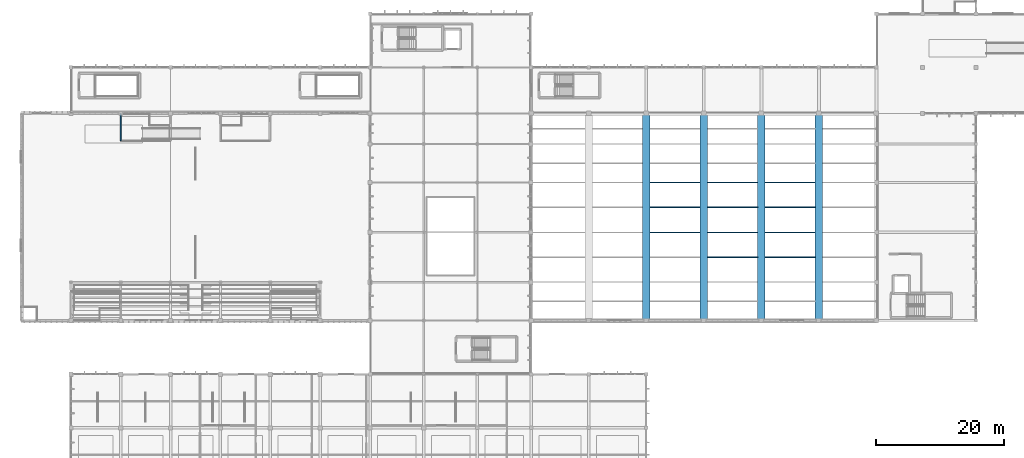
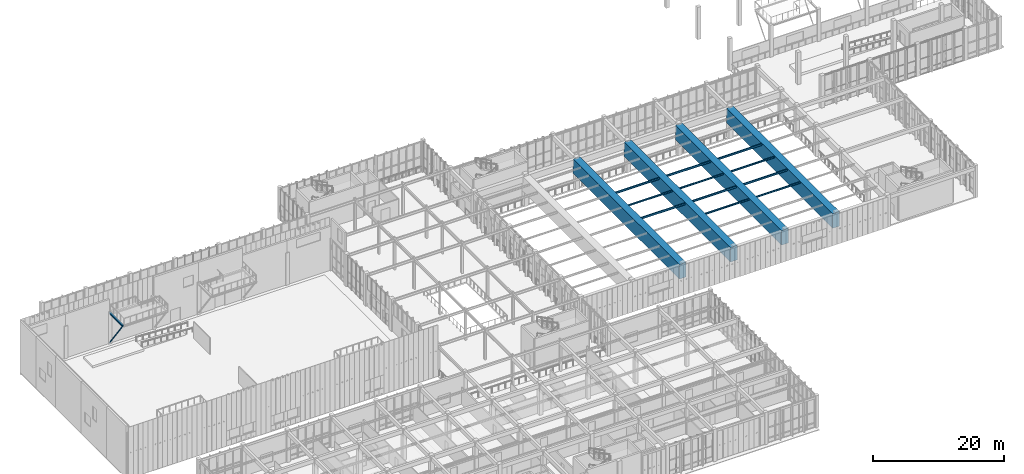
# One storey, part 29 of 105: 16 beams, 1 member.
"""IFC4 building model written with IfcOpenShell, lengths in metres."""

from ifc_helpers import new_model, si_unit, direction, frame, origin, origin_2d, place, context, subcontext, project, spatial, rectangle, hollow_rectangle, i_section, extrude, material, material_profile, profile_set, type_object, element, save


model = new_model("IFC4")

# Units and contexts
model_context = context("Model", 3, precision=1e-05, world=origin(), true_north=direction((0.0, 1.0)))
body_context = subcontext(model_context, "Body", "Model", "MODEL_VIEW")
ifc_project = project(units=[si_unit("LENGTHUNIT", "METRE"), si_unit("AREAUNIT", "SQUARE_METRE"), si_unit("VOLUMEUNIT", "CUBIC_METRE"), si_unit("PLANEANGLEUNIT", "RADIAN"), si_unit("MASSUNIT", "GRAM", prefix="KILO")], contexts=[model_context])

# Site, building, storey
site_placement = place(None, origin())
site = spatial("IfcSite", under=ifc_project, at=site_placement, CompositionType="ELEMENT")
building_placement = place(site_placement, origin())
building = spatial("IfcBuilding", under=site, at=building_placement, Name="Tizgana Railside Sports Hall", CompositionType="ELEMENT")
storey_placement = place(building_placement, frame((0.0, 0.0, 6.0)))
storey = spatial("IfcBuildingStorey", under=building, at=storey_placement, Name="L01", CompositionType="ELEMENT", Elevation=6.0)

# Beams
ifc_material_1 = material(Name="Concrete C40/50", Category="concrete")
ifc_material_profile_1 = material_profile(ifc_material_1, rectangle(XDim=1.199951171875, YDim=2.699951171875, at=origin_2d()), Name="PTG 1200x2700")
ifc_profile_set_1 = profile_set([ifc_material_profile_1], Name="Concrete C40/50")
beam_type_1 = type_object("IfcBeamType", Name="Post-Tensioned Girder PTG 1200x2700", PredefinedType="BEAM", material=ifc_profile_set_1)
for number, where, z_axis, x_axis, name in (
    (1, (97.800048828125, 40.800048828125, 4.285888671875), (0.0, 1.0, 0.0), (-1.0, 0.0, 0.0), "L01 BEM-0251"),
    (2, (106.800048828125, 40.800048828125, 4.285888671875), (0.0, 1.0, 0.0), (-1.0, 0.0, 0.0), "L01 BEM-0253"),
    (3, (115.800048828125, 40.800048828125, 4.285888671875), (0.0, 1.0, 0.0), (-1.0, 0.0, 0.0), "L01 BEM-0255"),
    (4, (124.800048828125, 40.800048828125, 4.285888671875), (0.0, 1.0, 0.0), (-1.0, 0.0, 0.0), "L01 BEM-0257"),
):
    element("IfcBeam", number, at=place(storey_placement, frame(where, z_axis=z_axis, x_axis=x_axis)), inside=storey, type_object=beam_type_1, Name=name, PredefinedType="BEAM", context=body_context, shape_type="SweptSolid", body=[
        extrude(rectangle(XDim=1.199951171875, YDim=2.699951171875, at=origin_2d()), origin(), (0.0, 0.0, 1.0), 32.39990234375),
    ])
ifc_material_2 = material(Name="Steel S355J2", Category="steel")
ifc_material_profile_2 = material_profile(ifc_material_2, i_section(OverallWidth=0.280029296875, OverallDepth=0.280029296875, WebThickness=0.010498046875, FlangeThickness=0.01806640625, FilletRadius=0.02392578125, at=origin_2d()), Name="HEB 280")
ifc_profile_set_2 = profile_set([ifc_material_profile_2], Name="Steel S355J2")
beam_type_2 = type_object("IfcBeamType", Name="Steel Beam HEB 280", PredefinedType="BEAM", material=ifc_profile_set_2)
beam_placement = place(storey_placement, frame((15.60009765625, 73.199951171875, 5.6298828125), z_axis=(0.0, -1.0, 0.0), x_axis=(1.0, 0.0, 0.0)))
element("IfcBeam", 5, at=beam_placement, inside=storey, type_object=beam_type_2, Name="L01 BEM-1255", PredefinedType="BEAM", context=body_context, shape_type="SweptSolid", body=[
    extrude(i_section(OverallWidth=0.280029296875, OverallDepth=0.280029296875, WebThickness=0.010498046875, FlangeThickness=0.01806640625, FilletRadius=0.02392578125, at=origin_2d()), origin(), (0.0, 0.0, 1.0), 4.199951171875),
])

# Member
ifc_material_profile_3 = material_profile(ifc_material_2, hollow_rectangle(XDim=0.139892578125, YDim=0.139892578125, WallThickness=0.008056640625, at=origin_2d()), Name="SHS 140x140x8")
ifc_profile_set_3 = profile_set([ifc_material_profile_3], Name="Steel S355J2")
member_type = type_object("IfcMemberType", Name="Steel Brace SHS 140x140x8", PredefinedType="BRACE", material=ifc_profile_set_3)
member_placement = place(storey_placement, frame((15.60009765625, 73.199951171875, 0.0), z_axis=(0.0, -0.588499132235, 0.808497848704), x_axis=(1.0, 0.0, 0.0)))
element("IfcMember", 6, at=member_placement, inside=storey, type_object=member_type, Name="L01 Catwalk Raker", PredefinedType="BRACE", context=body_context, shape_type="SweptSolid", body=[
    extrude(hollow_rectangle(XDim=0.139892578125, YDim=0.139892578125, WallThickness=0.008056640625, at=origin_2d()), origin(), (0.0, 0.0, 1.0), 7.13671875),
])

# Beams
ifc_material_profile_4 = material_profile(ifc_material_2, i_section(OverallWidth=0.14990234375, OverallDepth=0.300048828125, WebThickness=0.007080078125, FlangeThickness=0.0107421875, FilletRadius=0.014892578125, at=origin_2d()), Name="IPE 300")
ifc_profile_set_4 = profile_set([ifc_material_profile_4], Name="Steel S355J2")
beam_type_3 = type_object("IfcBeamType", Name="Steel Joist IPE 300", PredefinedType="JOIST", material=ifc_profile_set_4)
for number, where, z_axis, x_axis, name in (
    (7, (98.39501953125, 58.5, 5.486083984375), (1.0, 0.0, 0.0), (0.0, 1.0, 0.0), "L01 BEM-0294"),
    (8, (107.39501953125, 50.699951171875, 5.486083984375), (1.0, 0.0, 0.0), (0.0, 1.0, 0.0), "L01 BEM-0305"),
    (9, (107.39501953125, 58.5, 5.486083984375), (1.0, 0.0, 0.0), (0.0, 1.0, 0.0), "L01 BEM-0306"),
    (10, (116.39501953125, 50.699951171875, 5.486083984375), (1.0, 0.0, 0.0), (0.0, 1.0, 0.0), "L01 BEM-0317"),
    (11, (116.39501953125, 58.5, 5.486083984375), (1.0, 0.0, 0.0), (0.0, 1.0, 0.0), "L01 BEM-0318"),
):
    element("IfcBeam", number, at=place(storey_placement, frame(where, z_axis=z_axis, x_axis=x_axis)), inside=storey, type_object=beam_type_3, Name=name, PredefinedType="JOIST", context=body_context, shape_type="SweptSolid", body=[
        extrude(i_section(OverallWidth=0.14990234375, OverallDepth=0.300048828125, WebThickness=0.007080078125, FlangeThickness=0.0107421875, FilletRadius=0.014892578125, at=origin_2d()), origin(), (0.0, 0.0, 1.0), 7.81005859375),
    ])
ifc_material_profile_5 = material_profile(ifc_material_2, i_section(OverallWidth=0.169921875, OverallDepth=0.360107421875, WebThickness=0.008056640625, FlangeThickness=0.0126953125, FilletRadius=0.01806640625, at=origin_2d()), Name="IPE 360")
ifc_profile_set_5 = profile_set([ifc_material_profile_5], Name="Steel S355J2")
beam_type_4 = type_object("IfcBeamType", Name="Steel Joist IPE 360", PredefinedType="JOIST", material=ifc_profile_set_5)
for number, where, z_axis, x_axis, name in (
    (12, (98.39501953125, 54.60009765625, 5.4560546875), (1.0, 0.0, 0.0), (0.0, 1.0, 0.0), "L01 BEM-0287"),
    (13, (98.39501953125, 62.39990234375, 5.4560546875), (1.0, 0.0, 0.0), (0.0, 1.0, 0.0), "L01 BEM-0288"),
    (14, (107.39501953125, 54.60009765625, 5.4560546875), (1.0, 0.0, 0.0), (0.0, 1.0, 0.0), "L01 BEM-0299"),
    (15, (107.39501953125, 62.39990234375, 5.4560546875), (1.0, 0.0, 0.0), (0.0, 1.0, 0.0), "L01 BEM-0300"),
    (16, (116.39501953125, 54.60009765625, 5.4560546875), (1.0, 0.0, 0.0), (0.0, 1.0, 0.0), "L01 BEM-0311"),
    (17, (116.39501953125, 62.39990234375, 5.4560546875), (1.0, 0.0, 0.0), (0.0, 1.0, 0.0), "L01 BEM-0312"),
):
    element("IfcBeam", number, at=place(storey_placement, frame(where, z_axis=z_axis, x_axis=x_axis)), inside=storey, type_object=beam_type_4, Name=name, PredefinedType="JOIST", context=body_context, shape_type="SweptSolid", body=[
        extrude(i_section(OverallWidth=0.169921875, OverallDepth=0.360107421875, WebThickness=0.008056640625, FlangeThickness=0.0126953125, FilletRadius=0.01806640625, at=origin_2d()), origin(), (0.0, 0.0, 1.0), 7.81005859375),
    ])

save(model, "model.ifc")
